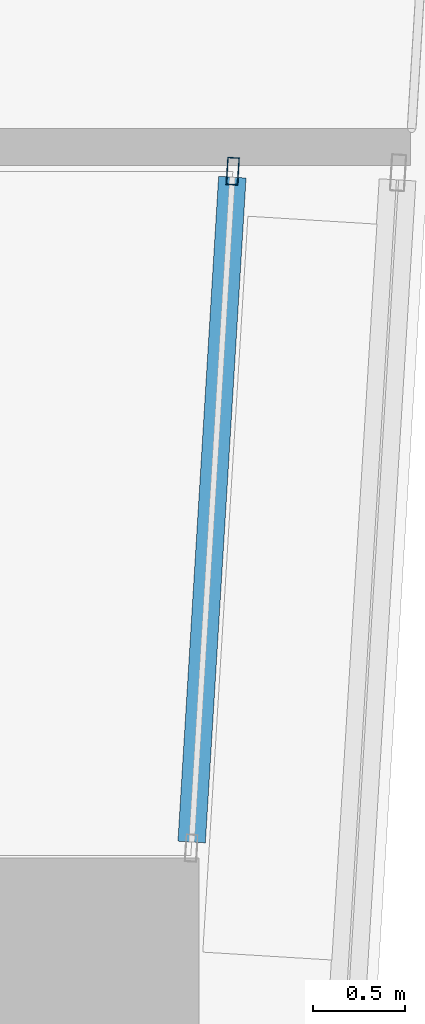
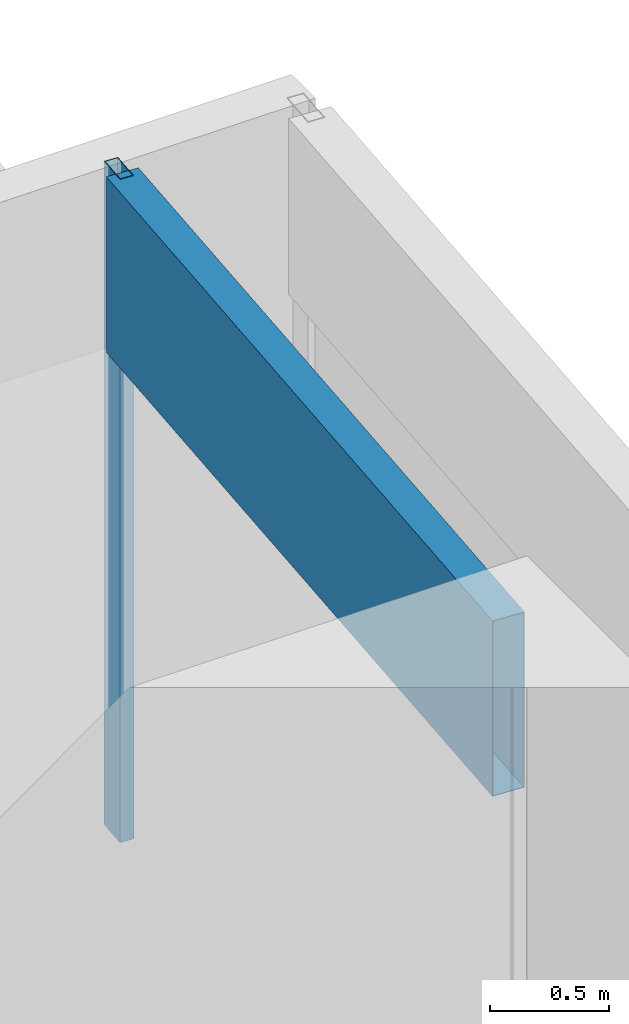
# One storey, part 13 of 38: 2 members, 1 element without a shape of its own.
"""IFC4 building model written with IfcOpenShell, lengths in metres."""

import ifcopenshell
import ifcopenshell.guid

model = None  # the IFC model being written
_history = None  # IfcOwnerHistory: only IFC2X3 demands one
_inside = {}  # id of a spatial element -> (the spatial element, [elements in it])
_under = {}  # id of a project, library or spatial element -> (it, [spatial elements below it])
_declared = {}  # id of a project -> (the project, [libraries it declares])
_typed = {}  # id of a type object -> (the type object, [elements of that type])
_made_of = {}  # id of a material, layer set ... -> (it, [elements and type objects made of it])


def new_model(schema):
    """Start an empty IFC model of exactly this schema.

    Asked for "IFC4X3", IfcOpenShell would pick the latest addendum, in which some entities
    have other attributes; the version numbers below select the first issue.
    IFC2X3 requires an IfcOwnerHistory on every rooted entity: one is made here for all.
    """
    global model, _history
    if schema == "IFC4X3":
        model = ifcopenshell.file(schema_version=(4, 3, 0, 0))
    else:
        model = ifcopenshell.file(schema=schema)
    _inside.clear()
    _under.clear()
    _declared.clear()
    _typed.clear()
    _made_of.clear()
    _history = None
    if model.schema == "IFC2X3":
        org = make("IfcOrganization", Name="unknown")
        user = make(
            "IfcPersonAndOrganization",
            ThePerson=make("IfcPerson", FamilyName="unknown"),
            TheOrganization=org,
        )
        app = make(
            "IfcApplication",
            ApplicationDeveloper=org,
            Version="unknown",
            ApplicationFullName="unknown",
            ApplicationIdentifier="unknown",
        )
        _history = make(
            "IfcOwnerHistory",
            OwningUser=user,
            OwningApplication=app,
            ChangeAction="ADDED",
            CreationDate=0,
        )
    return model


def make(cls, **values):
    """One entity of the class cls with the attributes given. An attribute that is None is left unset."""
    return model.create_entity(
        cls, **{name: value for name, value in values.items() if value is not None}
    )


def rooted(cls, **values):
    """An entity with a GlobalId (a new one), such as an element, a storey or a relation."""
    return make(cls, GlobalId=ifcopenshell.guid.new(), OwnerHistory=_history, **values)


def si_unit(unit_type, name, prefix=None):
    """IfcSIUnit, for example si_unit("LENGTHUNIT", "METRE", prefix="MILLI")."""
    return make("IfcSIUnit", UnitType=unit_type, Prefix=prefix, Name=name)


def assignment(units):
    """IfcUnitAssignment: the units of a project."""
    return None if units is None else make("IfcUnitAssignment", Units=units)


def point(xyz):
    """IfcCartesianPoint."""
    return None if xyz is None else make("IfcCartesianPoint", Coordinates=xyz)


def direction(xyz):
    """IfcDirection."""
    return None if xyz is None else make("IfcDirection", DirectionRatios=xyz)


def frame(location, z_axis=None, x_axis=None):
    """IfcAxis2Placement3D, a coordinate frame: its origin and axes. An axis left out is left unset."""
    return make(
        "IfcAxis2Placement3D",
        Location=point(location),
        Axis=direction(z_axis),
        RefDirection=direction(x_axis),
    )


def frame_2d(location, x_axis=None):
    """IfcAxis2Placement2D, a coordinate frame in the plane: its origin and x axis."""
    return make(
        "IfcAxis2Placement2D", Location=point(location), RefDirection=direction(x_axis)
    )


def origin():
    """The frame at (0, 0, 0) with its axes left unset."""
    return frame((0.0, 0.0, 0.0))


def origin_2d():
    """The frame at (0, 0) in the plane with its x axis left unset."""
    return frame_2d((0.0, 0.0))


def place(relative_to, where):
    """IfcLocalPlacement: puts the frame where relative to a parent placement (None: the world)."""
    return make(
        "IfcLocalPlacement", PlacementRelTo=relative_to, RelativePlacement=where
    )


def context(
    kind, dimensions, precision=None, world=None, true_north=None, identifier=None
):
    """IfcGeometricRepresentationContext, for example the 3D "Model" context."""
    return make(
        "IfcGeometricRepresentationContext",
        ContextIdentifier=identifier,
        ContextType=kind,
        CoordinateSpaceDimension=dimensions,
        Precision=precision,
        WorldCoordinateSystem=world,
        TrueNorth=true_north,
    )


def subcontext(parent, identifier, kind, view, scale=None):
    """IfcGeometricRepresentationSubContext, for example "Body" below "Model"."""
    return make(
        "IfcGeometricRepresentationSubContext",
        ContextIdentifier=identifier,
        ContextType=kind,
        ParentContext=parent,
        TargetScale=scale,
        TargetView=view,
    )


def project(units=None, contexts=None):
    """IfcProject with its units and contexts."""
    return rooted(
        "IfcProject",
        Name="project",
        RepresentationContexts=contexts,
        UnitsInContext=assignment(units),
    )


def spatial(cls, under=None, at=None, **own):
    """A site, building, storey or space (cls), placed at a placement, below another one or the project."""
    s = rooted(cls, ObjectPlacement=at, **own)
    if under is not None:
        _under.setdefault(under.id(), (under, []))[1].append(s)
    return s


def profile(cls, at=None, kind="AREA", **sizes):
    """A parametric profile (cls). Its sizes go by their IFC names, for example OverallWidth=200.0."""
    return make(cls, ProfileType=kind, Position=at, **sizes)


def hollow_rectangle(**sizes):
    """IfcRectangleHollowProfileDef."""
    return profile("IfcRectangleHollowProfileDef", **sizes)


def extrude(swept, where, along, depth):
    """IfcExtrudedAreaSolid: the profile swept, set in the frame where, extruded along a direction by depth."""
    return make(
        "IfcExtrudedAreaSolid",
        SweptArea=swept,
        Position=where,
        ExtrudedDirection=direction(along),
        Depth=depth,
    )


def shape(context_of_items, identifier, shape_type, items):
    """IfcShapeRepresentation: the items that make up one representation, for example the "Body"."""
    return make(
        "IfcShapeRepresentation",
        ContextOfItems=context_of_items,
        RepresentationIdentifier=identifier,
        RepresentationType=shape_type,
        Items=items,
    )


def material(Name=None, Category=None):
    """IfcMaterial."""
    return make("IfcMaterial", Name=Name, Category=Category)


def material_profile(
    of_material, cross_section, Name=None, Category=None, Priority=None
):
    """IfcMaterialProfile: a cross section and its material."""
    return make(
        "IfcMaterialProfile",
        Name=Name,
        Material=of_material,
        Profile=cross_section,
        Priority=Priority,
        Category=Category,
    )


def profile_set(profiles, Name=None, composite=None):
    """IfcMaterialProfileSet."""
    return make(
        "IfcMaterialProfileSet",
        Name=Name,
        MaterialProfiles=profiles,
        CompositeProfile=composite,
    )


def made_of(thing, what):
    """Note that an element or type object is made of a material, layer set ...; save() writes the relation."""
    if what is not None:
        _made_of.setdefault(what.id(), (what, []))[1].append(thing)
    return thing


def type_object(cls, material=None, **own):
    """A type object (cls), such as IfcWallType, which elements share."""
    return made_of(rooted(cls, **own), material)


def element(
    cls,
    number,
    at=None,
    inside=None,
    cuts=None,
    type_object=None,
    material=None,
    context=None,
    identifier="Body",
    shape_type=None,
    held_by="IfcProductDefinitionShape",
    body=None,
    shapes=None,
    **own,
):
    """One element of the class cls, such as IfcWall. Its Tag is "e" and its number.

    at: its placement. inside: the storey or other place that contains it. cuts: it is an
    opening in that element (IfcRelVoidsElement). A single representation is given by context,
    identifier, shape_type and body (its items); several are given by shapes. held_by: the class
    of the entity that holds the representations. save() writes the other relations.
    """
    e = rooted(cls, Tag="e%d" % number, ObjectPlacement=at, **own)
    if body is not None:
        shapes = [shape(context, identifier, shape_type, body)]
    if shapes is not None:
        e.Representation = make(held_by, Representations=shapes)
    if inside is not None:
        _inside.setdefault(inside.id(), (inside, []))[1].append(e)
    if cuts is not None:
        rooted(
            "IfcRelVoidsElement", RelatingBuildingElement=cuts, RelatedOpeningElement=e
        )
    if type_object is not None:
        _typed.setdefault(type_object.id(), (type_object, []))[1].append(e)
    return made_of(e, material)


def aggregate(whole, parts):
    """IfcRelAggregates: a whole, such as a stair, and the parts it consists of."""
    return rooted("IfcRelAggregates", RelatingObject=whole, RelatedObjects=parts)


def save(model, path):
    """Write the relations noted so far, then the file.

    IfcRelAggregates (storeys below a building ...), IfcRelContainedInSpatialStructure (elements
    in a storey), IfcRelDefinesByType, IfcRelAssociatesMaterial and IfcRelDeclares: one each for
    every whole, place, type object, material and project.
    """
    for whole, parts in _under.values():
        aggregate(whole, parts)
    for where, things in _inside.values():
        rooted(
            "IfcRelContainedInSpatialStructure",
            RelatedElements=things,
            RelatingStructure=where,
        )
    for kind, things in _typed.values():
        rooted("IfcRelDefinesByType", RelatedObjects=things, RelatingType=kind)
    for what, things in _made_of.values():
        rooted("IfcRelAssociatesMaterial", RelatedObjects=things, RelatingMaterial=what)
    for by, libraries in _declared.values():
        rooted("IfcRelDeclares", RelatingContext=by, RelatedDefinitions=libraries)
    model.write(path)


model = new_model("IFC4")

# Units and contexts
model_context = context("Model", 3, precision=1e-05, world=origin(), true_north=direction((0.0, 1.0)))
body_context = subcontext(model_context, "Body", "Model", "MODEL_VIEW")
ifc_project = project(units=[si_unit("LENGTHUNIT", "METRE"), si_unit("AREAUNIT", "SQUARE_METRE"), si_unit("VOLUMEUNIT", "CUBIC_METRE"), si_unit("PLANEANGLEUNIT", "RADIAN"), si_unit("MASSUNIT", "GRAM", prefix="KILO")], contexts=[model_context])

# Site, building, storey
site_placement = place(None, origin())
site = spatial("IfcSite", under=ifc_project, at=site_placement, CompositionType="ELEMENT")
building_placement = place(site_placement, origin())
building = spatial("IfcBuilding", under=site, at=building_placement, Name="Rekha Terrace Tower", CompositionType="ELEMENT")
storey_placement = place(building_placement, frame((0.0, 0.0, 159.050048828125)))
storey = spatial("IfcBuildingStorey", under=building, at=storey_placement, Name="L40", CompositionType="ELEMENT", Elevation=159.050048828125)

# Curtain wall, members
ifc_material_1 = material(Name="Aluminium framing", Category="aluminium")
curtain_wall_type = type_object("IfcCurtainWallType", Name="CW1 double skin inner glazing", PredefinedType="USERDEFINED", material=ifc_material_1)
curtain_wall_placement = place(storey_placement, origin())
curtain_wall = element("IfcCurtainWall", 1, at=curtain_wall_placement, inside=storey, type_object=curtain_wall_type, Name="CW1 double skin inner glazing", ObjectType="DOUBLE SKIN INNER GLAZING", PredefinedType="USERDEFINED")
ifc_material_2 = material(Name="Aluminium mullion section", Category="aluminium")
ifc_material_profile_1 = material_profile(ifc_material_2, hollow_rectangle(XDim=0.06494140625, YDim=0.14990234375, WallThickness=0.00390625, at=origin_2d()), Name="AL RHS 65x150")
ifc_profile_set_1 = profile_set([ifc_material_profile_1], Name="Aluminium mullion section")
member_type_1 = type_object("IfcMemberType", Name="CW1 mullion RHS 65 x 150", PredefinedType="MULLION", material=ifc_profile_set_1)
member_1_placement = place(storey_placement, frame((68.884521484375, 30.445556640625, 0.0), z_axis=(0.0, 0.0, 1.0), x_axis=(-0.998127987026, 0.061159803096, 0.0)))
member_1 = element("IfcMember", 2, at=member_1_placement, type_object=member_type_1, Name="CW1 mullion 2", PredefinedType="MULLION", context=body_context, shape_type="SweptSolid", body=[
    extrude(hollow_rectangle(XDim=0.06494140625, YDim=0.14990234375, WallThickness=0.00390625, at=origin_2d()), origin(), (0.0, 0.0, 1.0), 3.39990234375),
])
ifc_material_3 = material(Name="Insulated aluminium spandrel box", Category="aluminium")
ifc_material_profile_2 = material_profile(ifc_material_3, hollow_rectangle(XDim=0.14990234375, YDim=0.89990234375, WallThickness=0.0029296875, at=origin_2d()), Name="AL SPANDREL BOX 150x900")
ifc_profile_set_2 = profile_set([ifc_material_profile_2], Name="Insulated aluminium spandrel box")
member_type_2 = type_object("IfcMemberType", Name="CW1 spandrel transom 150 x 900", PredefinedType="USERDEFINED", material=ifc_profile_set_2)
member_2_placement = place(storey_placement, frame((68.660400390625, 26.78759765625, 2.949951171875), z_axis=(0.061097763902, 0.998131786512, 0.0), x_axis=(-0.998131786512, 0.061097763902, 0.0)))
member_2 = element("IfcMember", 3, at=member_2_placement, type_object=member_type_2, Name="CW1 spandrel transom 1", ObjectType="TRANSOM", PredefinedType="USERDEFINED", context=body_context, shape_type="SweptSolid", body=[
    extrude(hollow_rectangle(XDim=0.14990234375, YDim=0.89990234375, WallThickness=0.0029296875, at=origin_2d()), origin(), (0.0, 0.0, 1.0), 3.63232421875),
])
aggregate(curtain_wall, [member_1, member_2])

save(model, "model.ifc")
